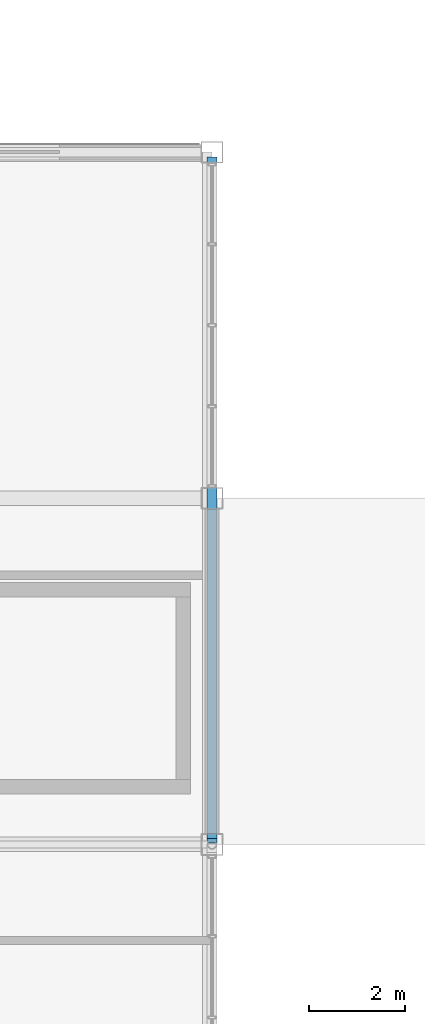
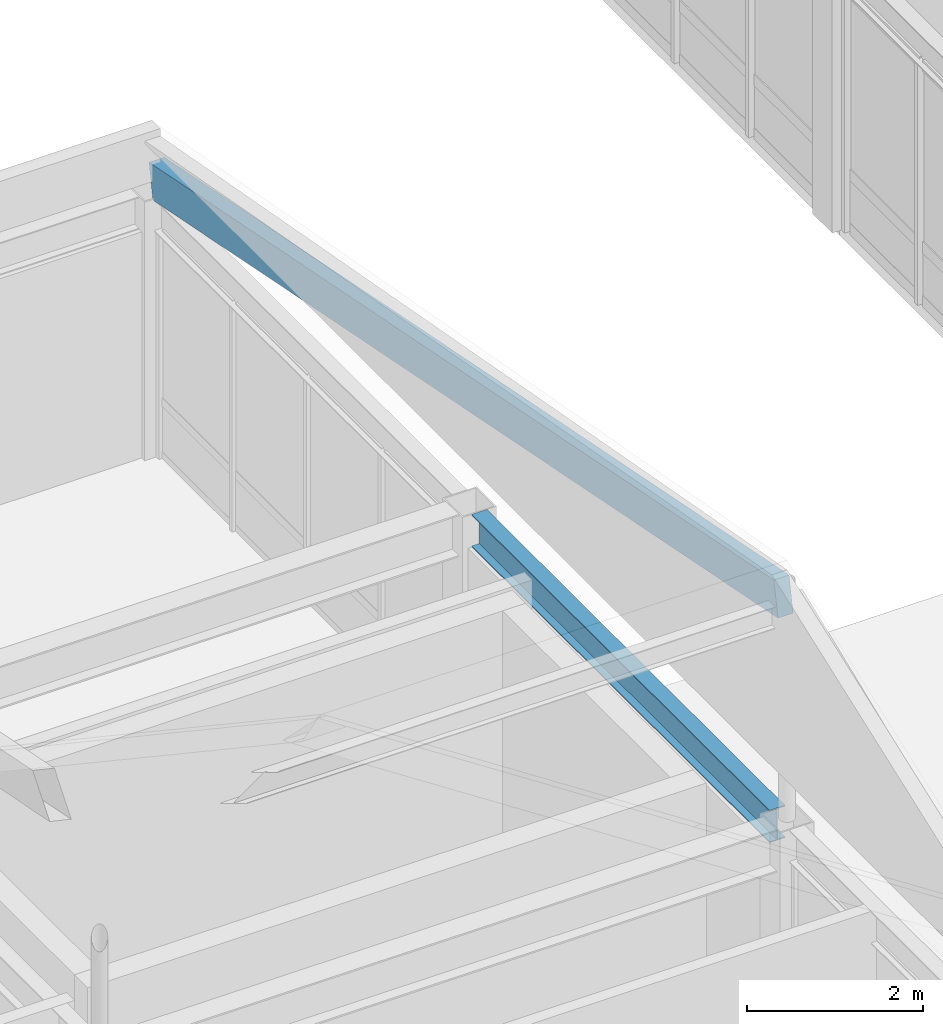
# One storey, part 24 of 113: 1 beam, 1 member.
"""IFC4 building model written with IfcOpenShell, lengths in metres."""

from ifc_helpers import new_model, si_unit, direction, frame, origin, origin_2d, place, context, subcontext, project, spatial, rectangle, i_section, extrude, material, material_profile, profile_set, type_object, element, save


model = new_model("IFC4")

# Units and contexts
model_context = context("Model", 3, precision=1e-05, world=origin(), true_north=direction((0.0, 1.0)))
body_context = subcontext(model_context, "Body", "Model", "MODEL_VIEW")
ifc_project = project(units=[si_unit("LENGTHUNIT", "METRE"), si_unit("AREAUNIT", "SQUARE_METRE"), si_unit("VOLUMEUNIT", "CUBIC_METRE"), si_unit("PLANEANGLEUNIT", "RADIAN"), si_unit("MASSUNIT", "GRAM", prefix="KILO")], contexts=[model_context])

# Site, building, storey
site_placement = place(None, origin())
site = spatial("IfcSite", under=ifc_project, at=site_placement, CompositionType="ELEMENT")
building_placement = place(site_placement, origin())
building = spatial("IfcBuilding", under=site, at=building_placement, Name="Kazanami Central Library", CompositionType="ELEMENT")
storey_placement = place(building_placement, frame((0.0, 0.0, 8.800048828125)))
storey = spatial("IfcBuildingStorey", under=building, at=storey_placement, Name="L03", CompositionType="ELEMENT", Elevation=8.800048828125)

# Beam
ifc_material_1 = material(Name="Steel SN490B (325 MPa)", Category="steel")
ifc_material_profile_1 = material_profile(ifc_material_1, i_section(OverallWidth=0.199951171875, OverallDepth=0.449951171875, WebThickness=0.009033203125, FlangeThickness=0.013916015625, at=origin_2d()), Name="H-450x200x9x14")
ifc_profile_set_1 = profile_set([ifc_material_profile_1], Name="Steel SN490B (325 MPa)")
beam_type = type_object("IfcBeamType", Name="BM-SP-2", PredefinedType="SPANDREL", material=ifc_profile_set_1)
beam_placement = place(storey_placement, frame((36.0, 21.822998046875, 3.35498046875), z_axis=(0.0, 1.0, 0.0), x_axis=(-1.0, 0.0, 0.0)))
element("IfcBeam", 1, at=beam_placement, inside=storey, type_object=beam_type, Name="Girder SP-2 L03 5/D-E", PredefinedType="SPANDREL", context=body_context, shape_type="SweptSolid", body=[
    extrude(i_section(OverallWidth=0.199951171875, OverallDepth=0.449951171875, WebThickness=0.009033203125, FlangeThickness=0.013916015625, at=origin_2d()), origin(), (0.0, 0.0, 1.0), 6.75390625),
])

# Member
ifc_material_2 = material(Name="Glulam GL28h (28 MPa)", Category="wood")
ifc_material_profile_2 = material_profile(ifc_material_2, rectangle(XDim=0.199951171875, YDim=0.47998046875, at=origin_2d()), Name="GL28h-200x480")
ifc_profile_set_2 = profile_set([ifc_material_profile_2], Name="Glulam GL28h (28 MPa)")
member_type = type_object("IfcMemberType", Name="MEM-GL-02", PredefinedType="RAFTER", material=ifc_profile_set_2)
member_placement = place(storey_placement, frame((36.0, 35.85009765625, 3.780029296875), z_axis=(0.0, -0.980901753573, 0.194503855583), x_axis=(1.0, 0.0, 0.0)))
element("IfcMember", 2, at=member_placement, inside=storey, type_object=member_type, Name="Glulam Timber Shell Rafter GL-02 FOLD-L03-V3-N Grid 5 North", PredefinedType="RAFTER", context=body_context, shape_type="SweptSolid", body=[
    extrude(rectangle(XDim=0.199951171875, YDim=0.47998046875, at=origin_2d()), origin(), (0.0, 0.0, 1.0), 14.446044921875),
])

save(model, "model.ifc")
